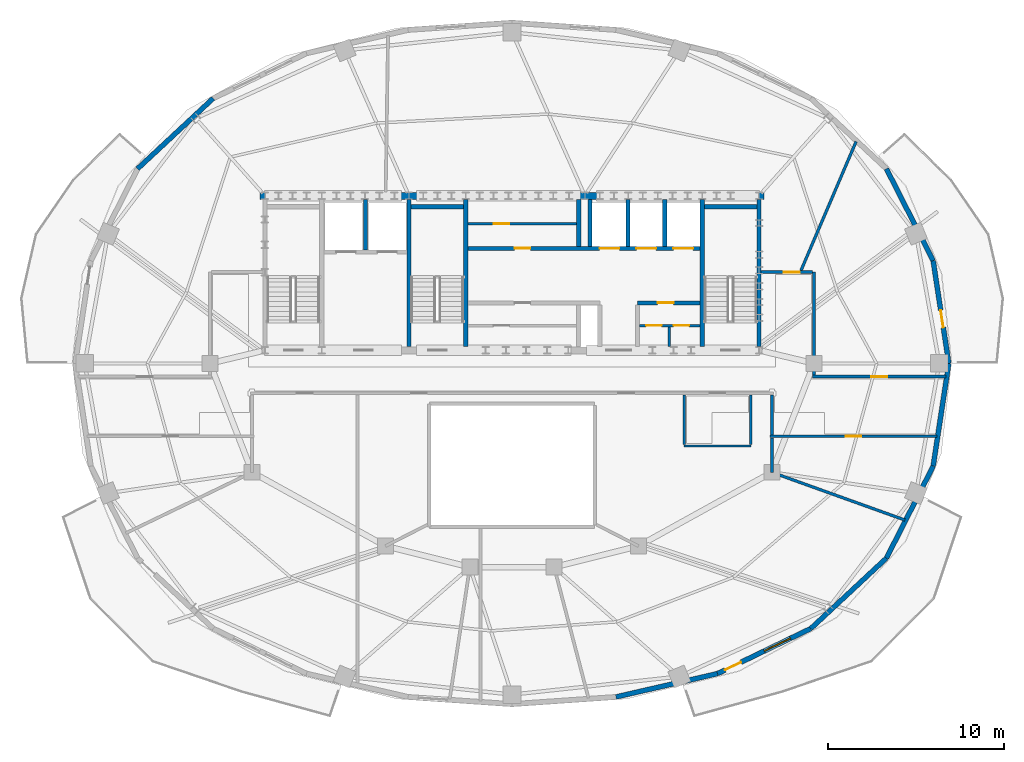
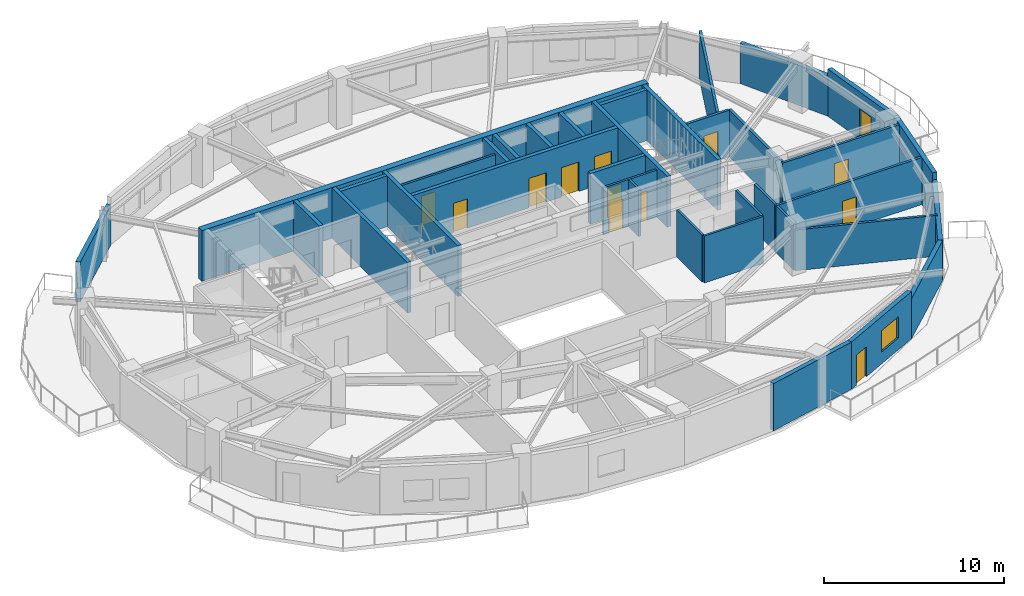
# One storey, part 5 of 10: 36 walls, 13 doors, 1 window, 14 openings.
"""IFC4 building model written with IfcOpenShell, lengths in metres."""

from ifc_helpers import new_model, si_unit, direction, frame, frame_2d, origin, place, context, subcontext, project, spatial, rectangle, extrude, material, layer, layer_set, type_object, element, fill, save


model = new_model("IFC4")

# Units and contexts
model_context = context("Model", 3, precision=1e-05, world=origin(), true_north=direction((0.0, 1.0)))
body_context = subcontext(model_context, "Body", "Model", "MODEL_VIEW")
ifc_project = project(units=[si_unit("LENGTHUNIT", "METRE"), si_unit("AREAUNIT", "SQUARE_METRE"), si_unit("VOLUMEUNIT", "CUBIC_METRE"), si_unit("PLANEANGLEUNIT", "RADIAN"), si_unit("MASSUNIT", "GRAM", prefix="KILO")], contexts=[model_context])

# Site, building, storey
site_placement = place(None, origin())
site = spatial("IfcSite", under=ifc_project, at=site_placement, CompositionType="ELEMENT")
building_placement = place(site_placement, origin())
building = spatial("IfcBuilding", under=site, at=building_placement, Name="Haldorwick Loom Tower", CompositionType="ELEMENT")
storey_placement = place(building_placement, frame((0.0, 0.0, 259.199951171875)))
storey = spatial("IfcBuildingStorey", under=building, at=storey_placement, Name="L70", CompositionType="ELEMENT", Elevation=259.199951171875)

# Wall, opening, door
ifc_material_1 = material(Name="Pressed Clay Face Brick and Insulated Masonry Backup Assembly", Category="masonry")
ifc_layer_1 = layer(ifc_material_1, 0.280029296875, Name="Pressed Clay Face Brick and Insulated Masonry Backup Assembly", Category="masonry")
ifc_layer_set_1 = layer_set([ifc_layer_1], Name="Pressed Clay Face Brick and Insulated Masonry Backup Assembly")
wall_type_1 = type_object("IfcWallType", Name="ARC-WL-EXT280", PredefinedType="STANDARD", material=ifc_layer_set_1)
wall_1_placement = place(storey_placement, frame((60.876708984375, 26.0, 0.0), z_axis=(0.0, 0.0, 1.0), x_axis=(-0.150497234153, 0.988610430105, 0.0)))
wall_1 = element("IfcWall", 1, at=wall_1_placement, inside=storey, type_object=wall_type_1, Name="L70 Brick Pier and Spandrel Wall 1", PredefinedType="STANDARD", context=body_context, shape_type="SweptSolid", body=[
    extrude(rectangle(XDim=5.916259765625, YDim=0.280029296875, at=frame_2d((2.9580078125, 0.0))), origin(), (0.0, 0.0, 1.0), 3.2099609375),
])
opening_1_placement = place(wall_1_placement, frame((2.0703125, 0.0, 0.0)))
opening_1 = element("IfcOpeningElement", 2, at=opening_1_placement, cuts=wall_1, Name="Opening D-BL10", PredefinedType="OPENING", context=body_context, shape_type="SweptSolid", body=[
    extrude(rectangle(XDim=1.0, YDim=2.0400390625, at=frame_2d((0.5, 1.02001953125))), frame((0.0, 0.14990234375, 0.0), z_axis=(0.0, -1.0, 0.0), x_axis=(1.0, 0.0, 0.0)), (0.0, 0.0, 1.0), 0.300048828125),
])
ifc_material_2 = material(Name="Thermally Broken Anodized Aluminium Curtain Wall Framing", Category="aluminium")
door_type_1 = type_object("IfcDoorType", Name="ARC-DR-BAL100", OperationType="NOTDEFINED", PredefinedType="DOOR", material=ifc_material_2)
door_1_placement = place(opening_1_placement, origin())
door_1 = element("IfcDoor", 3, at=door_1_placement, inside=storey, type_object=door_type_1, Name="L70 Outdoor Terrace Door SLB-L70-BAL_ENE", OperationType="SINGLE_SWING_RIGHT", OverallHeight=2.0400390625, OverallWidth=1.0, PredefinedType="DOOR", context=body_context, shape_type="SweptSolid", body=[
    extrude(rectangle(XDim=1.0, YDim=2.0400390625, at=frame_2d((0.5, 1.02001953125))), frame((0.0, 0.02490234375, 0.0), z_axis=(0.0, -1.0, 0.0), x_axis=(1.0, 0.0, 0.0)), (0.0, 0.0, 1.0), 0.050048828125),
])
fill(opening_1, door_1)

# Walls
wall_2_placement = place(storey_placement, frame((59.986328125, 31.848876953125, 0.0), z_axis=(0.0, 0.0, 1.0), x_axis=(-0.453100705059, 0.89145933787, 0.0)))
element("IfcWall", 4, at=wall_2_placement, inside=storey, type_object=wall_type_1, Name="L70 Brick Pier and Spandrel Wall 2", PredefinedType="STANDARD", context=body_context, shape_type="SweptSolid", body=[
    extrude(rectangle(XDim=5.879150390625, YDim=0.280029296875, at=frame_2d((2.939453125, 0.0))), origin(), (0.0, 0.0, 1.0), 2.718994140625),
])
wall_3_placement = place(storey_placement, frame((18.98046875, 41.095703125, 0.0), z_axis=(0.0, 0.0, 1.0), x_axis=(-0.731924682982, -0.68138554317, 0.0)))
element("IfcWall", 5, at=wall_3_placement, inside=storey, type_object=wall_type_1, Name="L70 Brick Pier and Spandrel Wall 10", PredefinedType="STANDARD", context=body_context, shape_type="SweptSolid", body=[
    extrude(rectangle(XDim=5.87890625, YDim=0.280029296875, at=frame_2d((2.939453125, 0.0))), origin(), (0.0, 0.0, 1.0), 2.718994140625),
])
wall_4_placement = place(storey_placement, frame((41.91943359375, 7.006103515625, 0.0), z_axis=(0.0, 0.0, 1.0), x_axis=(0.974589984037, 0.223996345987, 0.0)))
element("IfcWall", 6, at=wall_4_placement, inside=storey, type_object=wall_type_1, Name="L70 Brick Pier and Spandrel Wall 20", PredefinedType="STANDARD", context=body_context, shape_type="SweptSolid", body=[
    extrude(rectangle(XDim=5.92919921875, YDim=0.280029296875, at=frame_2d((2.964599609375, 0.0))), origin(), (0.0, 0.0, 1.0), 3.2099609375),
])

# Wall, openings, door, window
wall_5_placement = place(storey_placement, frame((47.697998046875, 8.334228515625, 0.0), z_axis=(0.0, 0.0, 1.0), x_axis=(0.900481907967, 0.434893473651, 0.0)))
wall_5 = element("IfcWall", 7, at=wall_5_placement, inside=storey, type_object=wall_type_1, Name="L70 Brick Pier and Spandrel Wall 21", PredefinedType="STANDARD", context=body_context, shape_type="SweptSolid", body=[
    extrude(rectangle(XDim=5.90966796875, YDim=0.280029296875, at=frame_2d((2.954833984375, 0.0))), origin(), (0.0, 0.0, 1.0), 3.2099609375),
])
opening_2_placement = place(wall_5_placement, frame((0.486083984375, 0.0, 0.0)))
opening_2 = element("IfcOpeningElement", 8, at=opening_2_placement, cuts=wall_5, Name="Opening D-BL10", PredefinedType="OPENING", context=body_context, shape_type="SweptSolid", body=[
    extrude(rectangle(XDim=1.0, YDim=2.0400390625, at=frame_2d((0.5, 1.02001953125))), frame((0.0, 0.14990234375, 0.0), z_axis=(0.0, -1.0, 0.0), x_axis=(1.0, 0.0, 0.0)), (0.0, 0.0, 1.0), 0.300048828125),
])
opening_3_placement = place(wall_5_placement, frame((2.965087890625, 0.0, 0.800048828125)))
opening_3 = element("IfcOpeningElement", 9, at=opening_3_placement, cuts=wall_5, Name="Opening W-01B", PredefinedType="OPENING", context=body_context, shape_type="SweptSolid", body=[
    extrude(rectangle(XDim=1.64990234375, YDim=1.449951171875, at=frame_2d((0.824951171875, 0.72509765625))), frame((0.0, 0.14990234375, 0.0), z_axis=(0.0, -1.0, 0.0), x_axis=(1.0, 0.0, 0.0)), (0.0, 0.0, 1.0), 0.300048828125),
])
door_2_placement = place(opening_2_placement, origin())
door_2 = element("IfcDoor", 10, at=door_2_placement, inside=storey, type_object=door_type_1, Name="L70 Outdoor Terrace Door SLB-L70-BAL_SE", OperationType="SINGLE_SWING_RIGHT", OverallHeight=2.0400390625, OverallWidth=1.0, PredefinedType="DOOR", context=body_context, shape_type="SweptSolid", body=[
    extrude(rectangle(XDim=1.0, YDim=2.0400390625, at=frame_2d((0.5, 1.02001953125))), frame((0.0, 0.02490234375, 0.0), z_axis=(0.0, -1.0, 0.0), x_axis=(1.0, 0.0, 0.0)), (0.0, 0.0, 1.0), 0.050048828125),
])
fill(opening_2, door_2)
ifc_material_3 = material(Name="Triple-Glazed Low-E Argon Insulated Glazing Unit", Category="glass")
window_type = type_object("IfcWindowType", Name="ARC-WIN-W165", PartitioningType="SINGLE_PANEL", PredefinedType="WINDOW", material=ifc_material_3)
window_placement = place(opening_3_placement, origin())
window = element("IfcWindow", 11, at=window_placement, inside=storey, type_object=window_type, Name="L70 Deep-Set Zone 7A Window 21", OverallHeight=1.449951171875, OverallWidth=1.64990234375, PartitioningType="SINGLE_PANEL", PredefinedType="WINDOW", context=body_context, shape_type="SweptSolid", body=[
    extrude(rectangle(XDim=1.64990234375, YDim=1.449951171875, at=frame_2d((0.824951171875, 0.72509765625))), frame((0.0, 0.030029296875, 0.0), z_axis=(0.0, -1.0, 0.0), x_axis=(1.0, 0.0, 0.0)), (0.0, 0.0, 1.0), 0.06005859375),
])
fill(opening_3, window)

# Walls
wall_6_placement = place(storey_placement, frame((53.01953125, 10.904296875, 0.0), z_axis=(0.0, 0.0, 1.0), x_axis=(0.731924682982, 0.68138554317, 0.0)))
element("IfcWall", 12, at=wall_6_placement, inside=storey, type_object=wall_type_1, Name="L70 Brick Pier and Spandrel Wall 22", PredefinedType="STANDARD", context=body_context, shape_type="SweptSolid", body=[
    extrude(rectangle(XDim=5.87890625, YDim=0.280029296875, at=frame_2d((2.939453125, 0.0))), origin(), (0.0, 0.0, 1.0), 2.718994140625),
])
wall_7_placement = place(storey_placement, frame((57.322509765625, 14.91015625, 0.0), z_axis=(0.0, 0.0, 1.0), x_axis=(0.453100705059, 0.89145933787, 0.0)))
element("IfcWall", 13, at=wall_7_placement, inside=storey, type_object=wall_type_1, Name="L70 Brick Pier and Spandrel Wall 23", PredefinedType="STANDARD", context=body_context, shape_type="SweptSolid", body=[
    extrude(rectangle(XDim=5.879150390625, YDim=0.280029296875, at=frame_2d((2.939453125, 0.0))), origin(), (0.0, 0.0, 1.0), 2.718994140625),
])
wall_8_placement = place(storey_placement, frame((59.986328125, 20.151123046875, 0.0), z_axis=(0.0, 0.0, 1.0), x_axis=(0.150497234153, 0.988610430105, 0.0)))
element("IfcWall", 14, at=wall_8_placement, inside=storey, type_object=wall_type_1, Name="L70 Brick Pier and Spandrel Wall 24", PredefinedType="STANDARD", context=body_context, shape_type="SweptSolid", body=[
    extrude(rectangle(XDim=5.916259765625, YDim=0.280029296875, at=frame_2d((2.9580078125, 0.0))), origin(), (0.0, 0.0, 1.0), 3.2099609375),
])

# Wall, opening, door
ifc_material_4 = material(Name="Fire-Rated Type X Gypsum Stud Assembly EI 60")
ifc_layer_2 = layer(ifc_material_4, 0.159912109375, Name="Fire-Rated Type X Gypsum Stud Assembly EI 60")
ifc_layer_set_2 = layer_set([ifc_layer_2], Name="Fire-Rated Type X Gypsum Stud Assembly EI 60")
wall_type_2 = type_object("IfcWallType", Name="ARC-WL-FIRE160", PredefinedType="PARTITIONING", material=ifc_layer_set_2)
wall_9_placement = place(storey_placement, frame((50.699951171875, 21.85009765625, 0.0), z_axis=(0.0, 0.0, 1.0), x_axis=(1.0, 0.0, 0.0)))
wall_9 = element("IfcWall", 15, at=wall_9_placement, inside=storey, type_object=wall_type_2, Name="L70 Residential Fire Partition L70-CR-SPE", PredefinedType="PARTITIONING", context=body_context, shape_type="SweptSolid", body=[
    extrude(rectangle(XDim=9.49951171875, YDim=0.159912109375, at=frame_2d((4.749755859375, 0.0))), origin(), (0.0, 0.0, 1.0), 3.195068359375),
])
opening_4_placement = place(wall_9_placement, frame((4.2998046875, 0.0, 0.0)))
opening_4 = element("IfcOpeningElement", 16, at=opening_4_placement, cuts=wall_9, Name="Opening D-FD60A", PredefinedType="OPENING", context=body_context, shape_type="SweptSolid", body=[
    extrude(rectangle(XDim=0.89990234375, YDim=2.0, at=frame_2d((0.449951171875, 1.0))), frame((0.0, 0.08984375, 0.0), z_axis=(0.0, -1.0, 0.0), x_axis=(1.0, 0.0, 0.0)), (0.0, 0.0, 1.0), 0.179931640625),
])
ifc_material_5 = material(Name="Hollow Steel Fire Door Assembly", Category="steel")
door_type_2 = type_object("IfcDoorType", Name="ARC-DR-FD60-90", OperationType="NOTDEFINED", PredefinedType="DOOR", material=ifc_material_5)
door_3_placement = place(opening_4_placement, origin())
door_3 = element("IfcDoor", 17, at=door_3_placement, inside=storey, type_object=door_type_2, Name="L70 L70 Central Residential Corridor to Community Music Hall 2 Door", OperationType="SINGLE_SWING_RIGHT", OverallHeight=2.0, OverallWidth=0.89990234375, PredefinedType="DOOR", context=body_context, shape_type="SweptSolid", body=[
    extrude(rectangle(XDim=0.89990234375, YDim=2.0, at=frame_2d((0.449951171875, 1.0))), frame((0.0, 0.02490234375, 0.0), z_axis=(0.0, -1.0, 0.0), x_axis=(1.0, 0.0, 0.0)), (0.0, 0.0, 1.0), 0.050048828125),
])
fill(opening_4, door_3)

# Wall
wall_10_placement = place(storey_placement, frame((50.800048828125, 21.93310546875, 0.0), z_axis=(0.0, 0.0, 1.0), x_axis=(0.0, 1.0, 0.0)))
element("IfcWall", 18, at=wall_10_placement, inside=storey, type_object=wall_type_2, Name="L70 Residential Fire Partition L70-CR-STE", PredefinedType="PARTITIONING", context=body_context, shape_type="SweptSolid", body=[
    extrude(rectangle(XDim=2.283935546875, YDim=0.159912109375, at=frame_2d((1.14208984375, 0.0))), origin(), (0.0, 0.0, 1.0), 3.195068359375),
])

# Wall, opening, door
wall_11_placement = place(storey_placement, frame((53.10009765625, 25.25, 0.0), z_axis=(0.0, 0.0, 1.0), x_axis=(1.0, 0.0, 0.0)))
wall_11 = element("IfcWall", 19, at=wall_11_placement, inside=storey, type_object=wall_type_2, Name="L70 Residential Fire Partition L70-CR-NEL", PredefinedType="PARTITIONING", context=body_context, shape_type="SweptSolid", body=[
    extrude(rectangle(XDim=7.616943359375, YDim=0.159912109375, at=frame_2d((3.80859375, 0.0))), origin(), (0.0, 0.0, 1.0), 3.195068359375),
])
opening_5_placement = place(wall_11_placement, frame((3.3583984375, 0.0, 0.0)))
opening_5 = element("IfcOpeningElement", 20, at=opening_5_placement, cuts=wall_11, Name="Opening D-FD60A", PredefinedType="OPENING", context=body_context, shape_type="SweptSolid", body=[
    extrude(rectangle(XDim=0.89990234375, YDim=2.0, at=frame_2d((0.449951171875, 1.0))), frame((0.0, 0.08984375, 0.0), z_axis=(0.0, -1.0, 0.0), x_axis=(1.0, 0.0, 0.0)), (0.0, 0.0, 1.0), 0.179931640625),
])
door_4_placement = place(opening_5_placement, frame((0.89990234375, 0.0, 0.0), z_axis=(0.0, 0.0, 1.0), x_axis=(-1.0, 0.0, 0.0)))
door_4 = element("IfcDoor", 21, at=door_4_placement, inside=storey, type_object=door_type_2, Name="L70 Tenant Seminar Meeting Room 3 to L70 Central Residential Corridor Do", OperationType="SINGLE_SWING_LEFT", OverallHeight=2.0, OverallWidth=0.89990234375, PredefinedType="DOOR", context=body_context, shape_type="SweptSolid", body=[
    extrude(rectangle(XDim=0.89990234375, YDim=2.0, at=frame_2d((0.449951171875, 1.0))), frame((0.0, 0.02490234375, 0.0), z_axis=(0.0, -1.0, 0.0), x_axis=(1.0, 0.0, 0.0)), (0.0, 0.0, 1.0), 0.050048828125),
])
fill(opening_5, door_4)

# Wall
wall_12_placement = place(storey_placement, frame((53.199951171875, 25.3330078125, 0.0), z_axis=(0.0, 0.0, 1.0), x_axis=(0.0, 1.0, 0.0)))
element("IfcWall", 22, at=wall_12_placement, inside=storey, type_object=wall_type_2, Name="L70 Residential Fire Partition L70-CR-E0", PredefinedType="PARTITIONING", context=body_context, shape_type="SweptSolid", body=[
    extrude(rectangle(XDim=5.866943359375, YDim=0.159912109375, at=frame_2d((2.93359375, 0.0))), origin(), (0.0, 0.0, 1.0), 3.195068359375),
])

# Wall, opening, door
wall_13_placement = place(storey_placement, frame((50.193115234375, 31.199951171875, 0.0), z_axis=(0.0, 0.0, 1.0), x_axis=(1.0, 0.0, 0.0)))
wall_13 = element("IfcWall", 23, at=wall_13_placement, inside=storey, type_object=wall_type_2, Name="L70 Residential Fire Partition L70-CR-ENJ", PredefinedType="PARTITIONING", context=body_context, shape_type="SweptSolid", body=[
    extrude(rectangle(XDim=2.923828125, YDim=0.159912109375, at=frame_2d((1.4619140625, 0.0))), origin(), (0.0, 0.0, 1.0), 3.195068359375),
])
opening_6_placement = place(wall_13_placement, frame((1.29150390625, 0.0, 0.0)))
opening_6 = element("IfcOpeningElement", 24, at=opening_6_placement, cuts=wall_13, Name="Opening D-FD60A", PredefinedType="OPENING", context=body_context, shape_type="SweptSolid", body=[
    extrude(rectangle(XDim=0.89990234375, YDim=2.0, at=frame_2d((0.449951171875, 1.0))), frame((0.0, 0.08984375, 0.0), z_axis=(0.0, -1.0, 0.0), x_axis=(1.0, 0.0, 0.0)), (0.0, 0.0, 1.0), 0.179931640625),
])
door_5_placement = place(opening_6_placement, frame((0.89990234375, 0.0, 0.0), z_axis=(0.0, 0.0, 1.0), x_axis=(-1.0, 0.0, 0.0)))
door_5 = element("IfcDoor", 25, at=door_5_placement, inside=storey, type_object=door_type_2, Name="L70 Tenant Seminar Meeting Room 8 to L70 Central Residential Corridor Do", OperationType="SINGLE_SWING_RIGHT", OverallHeight=2.0, OverallWidth=0.89990234375, PredefinedType="DOOR", context=body_context, shape_type="SweptSolid", body=[
    extrude(rectangle(XDim=0.89990234375, YDim=2.0, at=frame_2d((0.449951171875, 1.0))), frame((0.0, 0.02490234375, 0.0), z_axis=(0.0, -1.0, 0.0), x_axis=(1.0, 0.0, 0.0)), (0.0, 0.0, 1.0), 0.050048828125),
])
fill(opening_6, door_5)

# Walls
wall_14_placement = place(storey_placement, frame((50.800048828125, 19.800048828125, 0.0), z_axis=(0.0, 0.0, 1.0), x_axis=(0.941291581211, -0.337594666931, 0.0)))
element("IfcWall", 26, at=wall_14_placement, inside=storey, type_object=wall_type_2, Name="L70 Residential Fire Partition L70-ICR-02", PredefinedType="PARTITIONING", context=body_context, shape_type="SweptSolid", body=[
    extrude(rectangle(XDim=8.049072265625, YDim=0.159912109375, at=frame_2d((4.0244140625, 0.0))), origin(), (0.0, 0.0, 1.0), 2.77197265625),
])
wall_15_placement = place(storey_placement, frame((50.800048828125, 21.76708984375, 0.0), z_axis=(0.0, 0.0, 1.0), x_axis=(0.0, -1.0, 0.0)))
element("IfcWall", 27, at=wall_15_placement, inside=storey, type_object=wall_type_2, Name="L70 Residential Fire Partition L70-ICA-01", PredefinedType="PARTITIONING", context=body_context, shape_type="SweptSolid", body=[
    extrude(rectangle(XDim=1.967041015625, YDim=0.159912109375, at=frame_2d((0.9833984375, 0.0))), origin(), (0.0, 0.0, 1.0), 3.195068359375),
])
wall_16_placement = place(storey_placement, frame((55.5966796875, 38.63525390625, 0.0), z_axis=(0.0, 0.0, 1.0), x_axis=(-0.393134263541, -0.919481076929, 0.0)))
element("IfcWall", 28, at=wall_16_placement, inside=storey, type_object=wall_type_2, Name="L70 Suite Split Wall", PredefinedType="PARTITIONING", context=body_context, shape_type="SweptSolid", body=[
    extrude(rectangle(XDim=7.99609375, YDim=0.159912109375, at=frame_2d((3.998046875, 0.0))), origin(), (0.0, 0.0, 1.0), 3.195068359375),
])

# Wall, opening, door
ifc_layer_3 = layer(ifc_material_4, 0.139892578125, Name="Fire-Rated Type X Gypsum Stud Assembly EI 60")
ifc_layer_set_3 = layer_set([ifc_layer_3], Name="Fire-Rated Type X Gypsum Stud Assembly EI 60")
wall_type_3 = type_object("IfcWallType", Name="ARC-WL-PART140", PredefinedType="PARTITIONING", material=ifc_layer_set_3)
wall_17_placement = place(storey_placement, frame((33.492919921875, 33.9599609375, 0.0), z_axis=(0.0, 0.0, 1.0), x_axis=(1.0, 0.0, 0.0)))
wall_17 = element("IfcWall", 29, at=wall_17_placement, inside=storey, type_object=wall_type_3, Name="L70 Alcove Partition", PredefinedType="PARTITIONING", context=body_context, shape_type="SweptSolid", body=[
    extrude(rectangle(XDim=6.18408203125, YDim=0.139892578125, at=frame_2d((3.092041015625, 0.0))), origin(), (0.0, 0.0, 1.0), 3.195068359375),
])
opening_7_placement = place(wall_17_placement, frame((1.45703125, 0.0, 0.0)))
opening_7 = element("IfcOpeningElement", 30, at=opening_7_placement, cuts=wall_17, Name="Opening D-FD60A", PredefinedType="OPENING", context=body_context, shape_type="SweptSolid", body=[
    extrude(rectangle(XDim=0.89990234375, YDim=2.0, at=frame_2d((0.449951171875, 1.0))), frame((0.0, 0.079833984375, 0.0), z_axis=(0.0, -1.0, 0.0), x_axis=(1.0, 0.0, 0.0)), (0.0, 0.0, 1.0), 0.159912109375),
])
door_6_placement = place(opening_7_placement, frame((0.89990234375, 0.0, 0.0), z_axis=(0.0, 0.0, 1.0), x_axis=(-1.0, 0.0, 0.0)))
door_6 = element("IfcDoor", 31, at=door_6_placement, inside=storey, type_object=door_type_2, Name="L70 Trunk Store Door", OperationType="SINGLE_SWING_LEFT", OverallHeight=2.0, OverallWidth=0.89990234375, PredefinedType="DOOR", context=body_context, shape_type="SweptSolid", body=[
    extrude(rectangle(XDim=0.89990234375, YDim=2.0, at=frame_2d((0.449951171875, 1.0))), frame((0.0, 0.02490234375, 0.0), z_axis=(0.0, -1.0, 0.0), x_axis=(1.0, 0.0, 0.0)), (0.0, 0.0, 1.0), 0.050048828125),
])
fill(opening_7, door_6)

# Wall, openings, doors
wall_18_placement = place(storey_placement, frame((43.27294921875, 28.159912109375, 0.0), z_axis=(0.0, 0.0, 1.0), x_axis=(1.0, 0.0, 0.0)))
wall_18 = element("IfcWall", 32, at=wall_18_placement, inside=storey, type_object=wall_type_3, Name="L70 Telecom Partition", PredefinedType="PARTITIONING", context=body_context, shape_type="SweptSolid", body=[
    extrude(rectangle(XDim=3.43408203125, YDim=0.139892578125, at=frame_2d((1.717041015625, 0.0))), origin(), (0.0, 0.0, 1.0), 3.195068359375),
])
opening_8_placement = place(wall_18_placement, frame((0.366943359375, 0.0, 0.0)))
opening_8 = element("IfcOpeningElement", 33, at=opening_8_placement, cuts=wall_18, Name="Opening D-BT88", PredefinedType="OPENING", context=body_context, shape_type="SweptSolid", body=[
    extrude(rectangle(XDim=0.8798828125, YDim=2.02001953125, at=frame_2d((0.43994140625, 1.010009765625))), frame((0.0, 0.079833984375, 0.0), z_axis=(0.0, -1.0, 0.0), x_axis=(1.0, 0.0, 0.0)), (0.0, 0.0, 1.0), 0.159912109375),
])
opening_9_placement = place(wall_18_placement, frame((1.93701171875, 0.0, 0.0)))
opening_9 = element("IfcOpeningElement", 34, at=opening_9_placement, cuts=wall_18, Name="Opening D-BT88", PredefinedType="OPENING", context=body_context, shape_type="SweptSolid", body=[
    extrude(rectangle(XDim=0.8798828125, YDim=2.02001953125, at=frame_2d((0.43994140625, 1.010009765625))), frame((0.0, 0.079833984375, 0.0), z_axis=(0.0, -1.0, 0.0), x_axis=(1.0, 0.0, 0.0)), (0.0, 0.0, 1.0), 0.159912109375),
])
ifc_material_6 = material(Name="Solid Core Birch Architectural Door")
door_type_3 = type_object("IfcDoorType", Name="ARC-DR-BATH88", OperationType="NOTDEFINED", PredefinedType="DOOR", material=ifc_material_6)
door_7_placement = place(opening_8_placement, origin())
door_7 = element("IfcDoor", 35, at=door_7_placement, inside=storey, type_object=door_type_3, Name="L70 Telecom Room Door", OperationType="SINGLE_SWING_LEFT", OverallHeight=2.02001953125, OverallWidth=0.8798828125, PredefinedType="DOOR", context=body_context, shape_type="SweptSolid", body=[
    extrude(rectangle(XDim=0.8798828125, YDim=2.02001953125, at=frame_2d((0.43994140625, 1.010009765625))), frame((0.0, 0.02490234375, 0.0), z_axis=(0.0, -1.0, 0.0), x_axis=(1.0, 0.0, 0.0)), (0.0, 0.0, 1.0), 0.050048828125),
])
fill(opening_8, door_7)
door_8_placement = place(opening_9_placement, origin())
door_8 = element("IfcDoor", 36, at=door_8_placement, inside=storey, type_object=door_type_3, Name="L70 Metering Closet Door", OperationType="SINGLE_SWING_RIGHT", OverallHeight=2.02001953125, OverallWidth=0.8798828125, PredefinedType="DOOR", context=body_context, shape_type="SweptSolid", body=[
    extrude(rectangle(XDim=0.8798828125, YDim=2.02001953125, at=frame_2d((0.43994140625, 1.010009765625))), frame((0.0, 0.02490234375, 0.0), z_axis=(0.0, -1.0, 0.0), x_axis=(1.0, 0.0, 0.0)), (0.0, 0.0, 1.0), 0.050048828125),
])
fill(opening_9, door_8)

# Walls
wall_19_placement = place(storey_placement, frame((44.949951171875, 26.952880859375, 0.0), z_axis=(0.0, 0.0, 1.0), x_axis=(0.0, 1.0, 0.0)))
element("IfcWall", 37, at=wall_19_placement, inside=storey, type_object=wall_type_3, Name="L70 Metering Sub-Partition", PredefinedType="PARTITIONING", context=body_context, shape_type="SweptSolid", body=[
    extrude(rectangle(XDim=1.134033203125, YDim=0.139892578125, at=frame_2d((0.56689453125, 0.0))), origin(), (0.0, 0.0, 1.0), 3.195068359375),
])
wall_20_placement = place(storey_placement, frame((45.800048828125, 21.300048828125, 0.0), z_axis=(0.0, 0.0, 1.0), x_axis=(1.0, 0.0, 0.0)))
element("IfcWall", 38, at=wall_20_placement, inside=storey, type_object=wall_type_3, Name="L70 Residential Fire Partition L70-CWC-S", PredefinedType="PARTITIONING", context=body_context, shape_type="SweptSolid", body=[
    extrude(rectangle(XDim=3.800048828125, YDim=0.139892578125, at=frame_2d((1.89990234375, 0.0))), origin(), (0.0, 0.0, 1.0), 3.195068359375),
])
for number, where, z_axis, x_axis, name in (
    (39, (45.800048828125, 21.373046875, 0.0), (0.0, 0.0, 1.0), (0.0, 1.0, 0.0), "L70 Residential Fire Partition L70-CWC-W"),
    (40, (49.60009765625, 21.373046875, 0.0), (0.0, 0.0, 1.0), (0.0, 1.0, 0.0), "L70 Residential Fire Partition L70-CWC-E"),
):
    element("IfcWall", number, at=place(storey_placement, frame(where, z_axis=z_axis, x_axis=x_axis)), inside=storey, type_object=wall_type_3, Name=name, PredefinedType="PARTITIONING", context=body_context, shape_type="SweptSolid", body=[
        extrude(rectangle(XDim=2.843994140625, YDim=0.139892578125, at=frame_2d((1.421875, 0.0))), origin(), (0.0, 0.0, 1.0), 3.195068359375),
    ])
ifc_material_7 = material(Name="Concrete C50 (50 MPa)", Category="concrete")
ifc_layer_4 = layer(ifc_material_7, 0.39990234375, Name="Concrete C50 (50 MPa)", Category="concrete")
ifc_layer_set_4 = layer_set([ifc_layer_4], Name="Concrete C50 (50 MPa)")
wall_type_4 = type_object("IfcWallType", Name="STR-WL-CORE400", PredefinedType="SHEAR", material=ifc_layer_set_4)
wall_21_placement = place(storey_placement, frame((50.35009765625, 35.550048828125, 0.0), z_axis=(0.0, 0.0, 1.0), x_axis=(-1.0, 0.0, 0.0)))
element("IfcWall", 41, at=wall_21_placement, inside=storey, type_object=wall_type_4, Name="L70 Core Shear Wall N", PredefinedType="SHEAR", context=body_context, shape_type="SweptSolid", body=[
    extrude(rectangle(XDim=28.7001953125, YDim=0.39990234375, at=frame_2d((14.35009765625, 0.0))), origin(), (0.0, 0.0, 1.0), 3.449951171875),
])
ifc_layer_5 = layer(ifc_material_7, 0.239990234375, Name="Concrete C50 (50 MPa)", Category="concrete")
ifc_layer_set_5 = layer_set([ifc_layer_5], Name="Concrete C50 (50 MPa)")
wall_type_5 = type_object("IfcWallType", Name="STR-WL-SHAFT240", PredefinedType="SHEAR", material=ifc_layer_set_5)
for number, where, z_axis, x_axis, name in (
    (42, (50.070068359375, 26.952880859375, 0.0), (0.0, 0.0, 1.0), (0.0, 1.0, 0.0), "L70 Core Shear Wall E"),
    (43, (30.1298828125, 26.952880859375, 0.0), (0.0, 0.0, 1.0), (0.0, 1.0, 0.0), "L70 Core Shear Wall 2"),
    (44, (33.3701171875, 26.952880859375, 0.0), (0.0, 0.0, 1.0), (0.0, 1.0, 0.0), "L70 Core Shear Wall 3"),
):
    element("IfcWall", number, at=place(storey_placement, frame(where, z_axis=z_axis, x_axis=x_axis)), inside=storey, type_object=wall_type_5, Name=name, PredefinedType="SHEAR", context=body_context, shape_type="SweptSolid", body=[
        extrude(rectangle(XDim=8.39404296875, YDim=0.239990234375, at=frame_2d((4.197021484375, 0.0))), origin(), (0.0, 0.0, 1.0), 3.449951171875),
    ])
wall_22_placement = place(storey_placement, frame((30.2529296875, 34.919921875, 0.0), z_axis=(0.0, 0.0, 1.0), x_axis=(1.0, 0.0, 0.0)))
element("IfcWall", 45, at=wall_22_placement, inside=storey, type_object=wall_type_5, Name="L70 Core Shear Wall 3N", PredefinedType="SHEAR", context=body_context, shape_type="SweptSolid", body=[
    extrude(rectangle(XDim=2.994140625, YDim=0.239990234375, at=frame_2d((1.4970703125, 0.0))), origin(), (0.0, 0.0, 1.0), 3.449951171875),
])
wall_23_placement = place(storey_placement, frame((46.830078125, 26.952880859375, 0.0), z_axis=(0.0, 0.0, 1.0), x_axis=(0.0, 1.0, 0.0)))
element("IfcWall", 46, at=wall_23_placement, inside=storey, type_object=wall_type_5, Name="L70 Core Shear Wall 4", PredefinedType="SHEAR", context=body_context, shape_type="SweptSolid", body=[
    extrude(rectangle(XDim=8.39404296875, YDim=0.239990234375, at=frame_2d((4.197021484375, 0.0))), origin(), (0.0, 0.0, 1.0), 3.449951171875),
])
wall_24_placement = place(storey_placement, frame((46.952880859375, 34.919921875, 0.0), z_axis=(0.0, 0.0, 1.0), x_axis=(1.0, 0.0, 0.0)))
element("IfcWall", 47, at=wall_24_placement, inside=storey, type_object=wall_type_5, Name="L70 Core Shear Wall 4N", PredefinedType="SHEAR", context=body_context, shape_type="SweptSolid", body=[
    extrude(rectangle(XDim=2.994140625, YDim=0.239990234375, at=frame_2d((1.4970703125, 0.0))), origin(), (0.0, 0.0, 1.0), 3.449951171875),
])
wall_25_placement = place(storey_placement, frame((27.64990234375, 32.472900390625, 0.0), z_axis=(0.0, 0.0, 1.0), x_axis=(0.0, 1.0, 0.0)))
element("IfcWall", 48, at=wall_25_placement, inside=storey, type_object=wall_type_5, Name="L70 Core Shear Wall FFD", PredefinedType="SHEAR", context=body_context, shape_type="SweptSolid", body=[
    extrude(rectangle(XDim=2.8740234375, YDim=0.239990234375, at=frame_2d((1.43701171875, 0.0))), origin(), (0.0, 0.0, 1.0), 3.449951171875),
])

# Wall, openings, doors
wall_26_placement = place(storey_placement, frame((33.492919921875, 32.550048828125, 0.0), z_axis=(0.0, 0.0, 1.0), x_axis=(1.0, 0.0, 0.0)))
wall_26 = element("IfcWall", 49, at=wall_26_placement, inside=storey, type_object=wall_type_5, Name="L70 Core Shear Wall LN", PredefinedType="SHEAR", context=body_context, shape_type="SweptSolid", body=[
    extrude(rectangle(XDim=13.214111328125, YDim=0.239990234375, at=frame_2d((6.60693359375, 0.0))), origin(), (0.0, 0.0, 1.0), 3.449951171875),
])
opening_10_placement = place(wall_26_placement, frame((2.656982421875, 0.0, 0.0)))
opening_10 = element("IfcOpeningElement", 50, at=opening_10_placement, cuts=wall_26, Name="Opening D-FD60A", PredefinedType="OPENING", context=body_context, shape_type="SweptSolid", body=[
    extrude(rectangle(XDim=0.89990234375, YDim=2.0, at=frame_2d((0.449951171875, 1.0))), frame((0.0, 0.1298828125, 0.0), z_axis=(0.0, -1.0, 0.0), x_axis=(1.0, 0.0, 0.0)), (0.0, 0.0, 1.0), 0.260009765625),
])
opening_11_placement = place(wall_26_placement, frame((7.4970703125, 0.0, 0.0)))
opening_11 = element("IfcOpeningElement", 51, at=opening_11_placement, cuts=wall_26, Name="Opening LD-H1", PredefinedType="OPENING", context=body_context, shape_type="SweptSolid", body=[
    extrude(rectangle(XDim=1.1201171875, YDim=2.0, at=frame_2d((0.56005859375, 1.0))), frame((0.0, 0.1298828125, 0.0), z_axis=(0.0, -1.0, 0.0), x_axis=(1.0, 0.0, 0.0)), (0.0, 0.0, 1.0), 0.260009765625),
])
opening_12_placement = place(wall_26_placement, frame((9.596923828125, 0.0, 0.0)))
opening_12 = element("IfcOpeningElement", 52, at=opening_12_placement, cuts=wall_26, Name="Opening LD-H2", PredefinedType="OPENING", context=body_context, shape_type="SweptSolid", body=[
    extrude(rectangle(XDim=1.1201171875, YDim=2.0, at=frame_2d((0.56005859375, 1.0))), frame((0.0, 0.1298828125, 0.0), z_axis=(0.0, -1.0, 0.0), x_axis=(1.0, 0.0, 0.0)), (0.0, 0.0, 1.0), 0.260009765625),
])
opening_13_placement = place(wall_26_placement, frame((11.697021484375, 0.0, 0.0)))
opening_13 = element("IfcOpeningElement", 53, at=opening_13_placement, cuts=wall_26, Name="Opening LD-H3", PredefinedType="OPENING", context=body_context, shape_type="SweptSolid", body=[
    extrude(rectangle(XDim=1.1201171875, YDim=2.0, at=frame_2d((0.56005859375, 1.0))), frame((0.0, 0.1298828125, 0.0), z_axis=(0.0, -1.0, 0.0), x_axis=(1.0, 0.0, 0.0)), (0.0, 0.0, 1.0), 0.260009765625),
])
door_9_placement = place(opening_10_placement, frame((0.89990234375, 0.0, 0.0), z_axis=(0.0, 0.0, 1.0), x_axis=(-1.0, 0.0, 0.0)))
door_9 = element("IfcDoor", 54, at=door_9_placement, inside=storey, type_object=door_type_2, Name="L70 Floor Equipment Door", OperationType="SINGLE_SWING_RIGHT", OverallHeight=2.0, OverallWidth=0.89990234375, PredefinedType="DOOR", context=body_context, shape_type="SweptSolid", body=[
    extrude(rectangle(XDim=0.89990234375, YDim=2.0, at=frame_2d((0.449951171875, 1.0))), frame((0.0, 0.02490234375, 0.0), z_axis=(0.0, -1.0, 0.0), x_axis=(1.0, 0.0, 0.0)), (0.0, 0.0, 1.0), 0.050048828125),
])
fill(opening_10, door_9)
door_type_4 = type_object("IfcDoorType", Name="ARC-DR-LD-PAX", OperationType="NOTDEFINED", PredefinedType="USERDEFINED", material=ifc_material_5)
door_10_placement = place(opening_11_placement, origin())
door_10 = element("IfcDoor", 55, at=door_10_placement, inside=storey, type_object=door_type_4, Name="L70 Lift LF-H1 Sliding Landing Door", ObjectType="LANDING DOOR", OperationType="DOUBLE_DOOR_SLIDING", OverallHeight=2.0, OverallWidth=1.1201171875, PredefinedType="USERDEFINED", context=body_context, shape_type="SweptSolid", body=[
    extrude(rectangle(XDim=1.1201171875, YDim=2.0, at=frame_2d((0.56005859375, 1.0))), frame((0.0, 0.02490234375, 0.0), z_axis=(0.0, -1.0, 0.0), x_axis=(1.0, 0.0, 0.0)), (0.0, 0.0, 1.0), 0.050048828125),
])
fill(opening_11, door_10)
door_11_placement = place(opening_12_placement, origin())
door_11 = element("IfcDoor", 56, at=door_11_placement, inside=storey, type_object=door_type_4, Name="L70 Lift LF-H2 Sliding Landing Door", ObjectType="LANDING DOOR", OperationType="DOUBLE_DOOR_SLIDING", OverallHeight=2.0, OverallWidth=1.1201171875, PredefinedType="USERDEFINED", context=body_context, shape_type="SweptSolid", body=[
    extrude(rectangle(XDim=1.1201171875, YDim=2.0, at=frame_2d((0.56005859375, 1.0))), frame((0.0, 0.02490234375, 0.0), z_axis=(0.0, -1.0, 0.0), x_axis=(1.0, 0.0, 0.0)), (0.0, 0.0, 1.0), 0.050048828125),
])
fill(opening_12, door_11)
door_12_placement = place(opening_13_placement, origin())
door_12 = element("IfcDoor", 57, at=door_12_placement, inside=storey, type_object=door_type_4, Name="L70 Lift LF-H3 Sliding Landing Door", ObjectType="LANDING DOOR", OperationType="DOUBLE_DOOR_SLIDING", OverallHeight=2.0, OverallWidth=1.1201171875, PredefinedType="USERDEFINED", context=body_context, shape_type="SweptSolid", body=[
    extrude(rectangle(XDim=1.1201171875, YDim=2.0, at=frame_2d((0.56005859375, 1.0))), frame((0.0, 0.02490234375, 0.0), z_axis=(0.0, -1.0, 0.0), x_axis=(1.0, 0.0, 0.0)), (0.0, 0.0, 1.0), 0.050048828125),
])
fill(opening_13, door_12)

# Wall, opening, door
wall_27_placement = place(storey_placement, frame((43.14990234375, 29.449951171875, 0.0), z_axis=(0.0, 0.0, 1.0), x_axis=(1.0, 0.0, 0.0)))
wall_27 = element("IfcWall", 58, at=wall_27_placement, inside=storey, type_object=wall_type_5, Name="L70 Core Shear Wall LS2", PredefinedType="SHEAR", context=body_context, shape_type="SweptSolid", body=[
    extrude(rectangle(XDim=3.55712890625, YDim=0.239990234375, at=frame_2d((1.778564453125, 0.0))), origin(), (0.0, 0.0, 1.0), 3.449951171875),
])
opening_14_placement = place(wall_27_placement, frame((1.14990234375, 0.0, 0.0)))
opening_14 = element("IfcOpeningElement", 59, at=opening_14_placement, cuts=wall_27, Name="Opening D-FD60A", PredefinedType="OPENING", context=body_context, shape_type="SweptSolid", body=[
    extrude(rectangle(XDim=0.89990234375, YDim=2.0, at=frame_2d((0.449951171875, 1.0))), frame((0.0, 0.1298828125, 0.0), z_axis=(0.0, -1.0, 0.0), x_axis=(1.0, 0.0, 0.0)), (0.0, 0.0, 1.0), 0.260009765625),
])
door_13_placement = place(opening_14_placement, origin())
door_13 = element("IfcDoor", 60, at=door_13_placement, inside=storey, type_object=door_type_2, Name="L70 Janitor Closet Door", OperationType="SINGLE_SWING_LEFT", OverallHeight=2.0, OverallWidth=0.89990234375, PredefinedType="DOOR", context=body_context, shape_type="SweptSolid", body=[
    extrude(rectangle(XDim=0.89990234375, YDim=2.0, at=frame_2d((0.449951171875, 1.0))), frame((0.0, 0.02490234375, 0.0), z_axis=(0.0, -1.0, 0.0), x_axis=(1.0, 0.0, 0.0)), (0.0, 0.0, 1.0), 0.050048828125),
])
fill(opening_14, door_13)

# Walls
for number, where, z_axis, x_axis, name in (
    (61, (39.800048828125, 32.673095703125, 0.0), (0.0, 0.0, 1.0), (0.0, 1.0, 0.0), "L70 Core Shear Wall LHW"),
    (62, (40.449951171875, 32.673095703125, 0.0), (0.0, 0.0, 1.0), (0.0, 1.0, 0.0), "L70 Core Shear Wall H0"),
    (63, (42.60009765625, 32.673095703125, 0.0), (0.0, 0.0, 1.0), (0.0, 1.0, 0.0), "L70 Core Shear Wall H1"),
    (64, (44.699951171875, 32.673095703125, 0.0), (0.0, 0.0, 1.0), (0.0, 1.0, 0.0), "L70 Core Shear Wall H2"),
):
    element("IfcWall", number, at=place(storey_placement, frame(where, z_axis=z_axis, x_axis=x_axis)), inside=storey, type_object=wall_type_5, Name=name, PredefinedType="SHEAR", context=body_context, shape_type="SweptSolid", body=[
        extrude(rectangle(XDim=2.673828125, YDim=0.239990234375, at=frame_2d((1.3369140625, 0.0))), origin(), (0.0, 0.0, 1.0), 3.449951171875),
    ])

save(model, "model.ifc")
